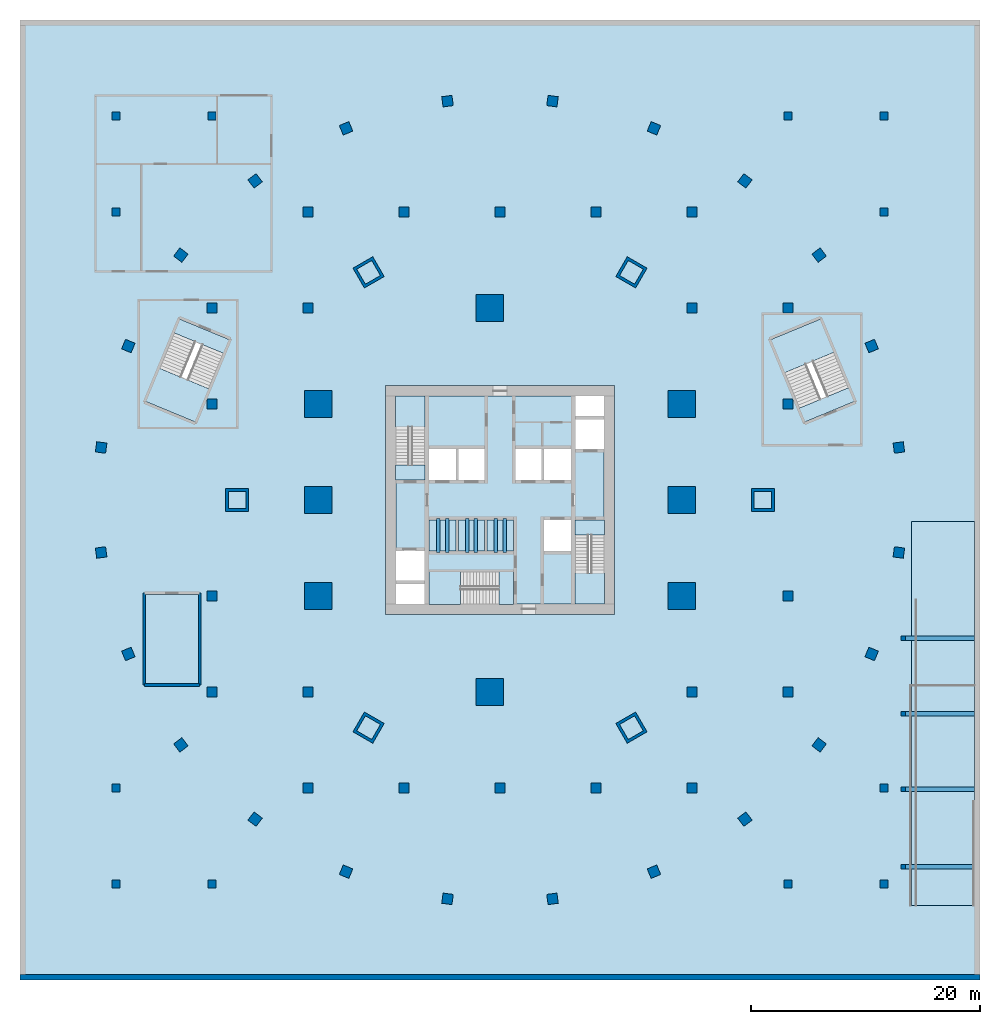
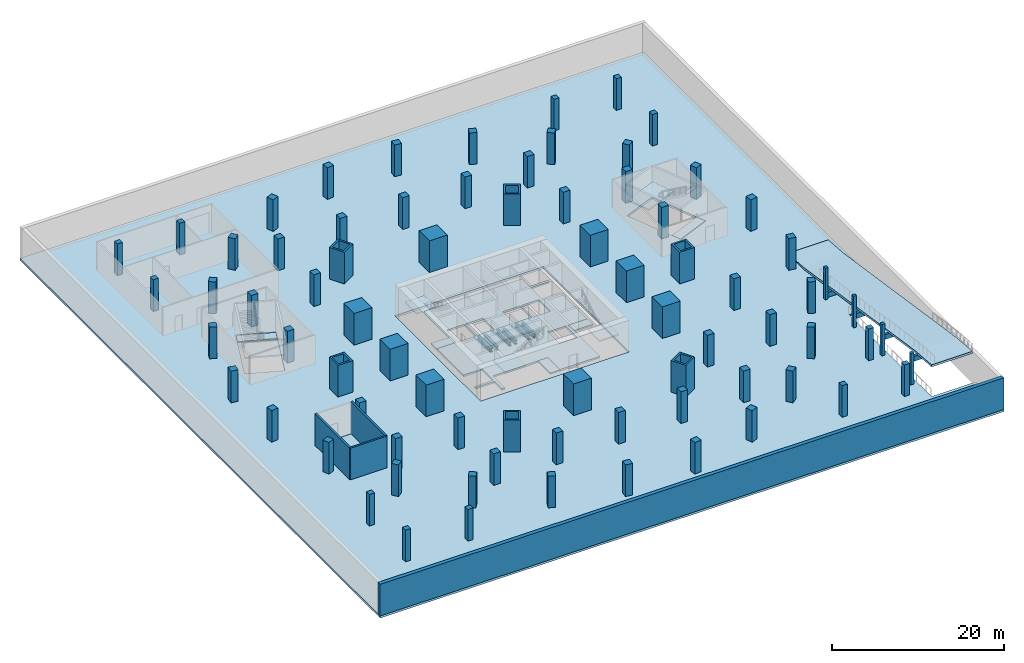
# One storey, part 1 of 9: 76 columns, 17 slabs, 10 beams, 4 walls, 5 elements without a shape of their own.
"""IFC4 building model written with IfcOpenShell, lengths in metres."""

from ifc_helpers import new_model, si_unit, direction, frame, frame_2d, origin, origin_2d, place, context, subcontext, project, spatial, polyline, rectangle, hollow_rectangle, i_section, outline, extrude, material, layer, layer_set, material_profile, profile_set, type_object, element, aggregate, save


model = new_model("IFC4")

# Units and contexts
model_context = context("Model", 3, precision=1e-05, world=origin(), true_north=direction((0.0, 1.0)))
body_context = subcontext(model_context, "Body", "Model", "MODEL_VIEW")
ifc_project = project(units=[si_unit("LENGTHUNIT", "METRE"), si_unit("AREAUNIT", "SQUARE_METRE"), si_unit("VOLUMEUNIT", "CUBIC_METRE"), si_unit("PLANEANGLEUNIT", "RADIAN"), si_unit("MASSUNIT", "GRAM", prefix="KILO")], contexts=[model_context])

# Site, building, storey
site_placement = place(None, origin())
site = spatial("IfcSite", under=ifc_project, at=site_placement, CompositionType="ELEMENT")
building_placement = place(site_placement, origin())
building = spatial("IfcBuilding", under=site, at=building_placement, Name="Golbaran Civic Tower", CompositionType="ELEMENT")
storey_placement = place(building_placement, frame((0.0, 0.0, -4.5)))
storey = spatial("IfcBuildingStorey", under=building, at=storey_placement, Name="B1", CompositionType="ELEMENT", Elevation=-4.5)

# Columns
ifc_material_1 = material(Name="Concrete C50/60", Category="concrete")
ifc_material_profile_1 = material_profile(ifc_material_1, rectangle(XDim=0.699951171875, YDim=0.699951171875, at=origin_2d()), Name="RC 700x700")
ifc_profile_set_1 = profile_set([ifc_material_profile_1], Name="Concrete C50/60")
column_type_1 = type_object("IfcColumnType", Name="BASEMENT COLUMN RC 700x700", PredefinedType="COLUMN", material=ifc_profile_set_1)
for number, where, z_axis, x_axis, name in (
    (1, (-33.60009765625, -33.60009765625, 0.0), (0.0, 0.0, 1.0), (1.0, 0.0, 0.0), "Column 2/B B1"),
    (2, (-33.60009765625, -25.199951171875, 0.0), (0.0, 0.0, 1.0), (1.0, 0.0, 0.0), "Column 2/C B1"),
    (3, (-33.60009765625, 25.199951171875, 0.0), (0.0, 0.0, 1.0), (1.0, 0.0, 0.0), "Column 2/J B1"),
    (4, (-33.60009765625, 33.60009765625, 0.0), (0.0, 0.0, 1.0), (1.0, 0.0, 0.0), "Column 2/K B1"),
    (5, (-25.199951171875, -33.60009765625, 0.0), (0.0, 0.0, 1.0), (1.0, 0.0, 0.0), "Column 3/B B1"),
    (6, (-25.199951171875, 33.60009765625, 0.0), (0.0, 0.0, 1.0), (1.0, 0.0, 0.0), "Column 3/K B1"),
    (7, (25.199951171875, -33.60009765625, 0.0), (0.0, 0.0, 1.0), (1.0, 0.0, 0.0), "Column 9/B B1"),
    (8, (25.199951171875, 33.60009765625, 0.0), (0.0, 0.0, 1.0), (1.0, 0.0, 0.0), "Column 9/K B1"),
    (9, (33.60009765625, -33.60009765625, 0.0), (0.0, 0.0, 1.0), (1.0, 0.0, 0.0), "Column 10/B B1"),
    (10, (33.60009765625, -25.199951171875, 0.0), (0.0, 0.0, 1.0), (1.0, 0.0, 0.0), "Column 10/C B1"),
    (11, (33.60009765625, 25.199951171875, 0.0), (0.0, 0.0, 1.0), (1.0, 0.0, 0.0), "Column 10/J B1"),
    (12, (33.60009765625, 33.60009765625, 0.0), (0.0, 0.0, 1.0), (1.0, 0.0, 0.0), "Column 10/K B1"),
):
    element("IfcColumn", number, at=place(storey_placement, frame(where, z_axis=z_axis, x_axis=x_axis)), inside=storey, type_object=column_type_1, Name=name, PredefinedType="COLUMN", context=body_context, shape_type="SweptSolid", body=[
        extrude(rectangle(XDim=0.699951171875, YDim=0.699951171875, at=origin_2d()), origin(), (0.0, 0.0, 1.0), 4.5),
    ])
ifc_material_2 = material(Name="Steel S355", Category="steel")
ifc_material_profile_2 = material_profile(ifc_material_2, hollow_rectangle(XDim=2.0, YDim=2.0, WallThickness=0.239990234375, at=origin_2d()), Name="BOX 2000x2000x240")
ifc_profile_set_2 = profile_set([ifc_material_profile_2], Name="Steel S355")
column_type_2 = type_object("IfcColumnType", Name="MEGA COLUMN BOX 2000x2000x240", PredefinedType="COLUMN", material=ifc_profile_set_2)
for number, where, z_axis, x_axis, name in (
    (13, (23.0, 0.0, 0.0), (0.0, 0.0, 1.0), (1.0, 0.0, 0.0), "Column mega 0 B1"),
    (14, (11.5, 19.918701171875, 0.0), (0.0, 0.0, 1.0), (0.5, 0.866025403784, 0.0), "Column mega 60 B1"),
    (15, (-11.5, 19.918701171875, 0.0), (0.0, 0.0, 1.0), (-0.5, 0.866025403784, 0.0), "Column mega 120 B1"),
    (16, (-23.0, 0.0, 0.0), (0.0, 0.0, 1.0), (-1.0, 0.0, 0.0), "Column mega 180 B1"),
    (17, (-11.5, -19.918701171875, 0.0), (0.0, 0.0, 1.0), (-0.5, -0.866025403784, 0.0), "Column mega 240 B1"),
    (18, (11.5, -19.918701171875, 0.0), (0.0, 0.0, 1.0), (0.5, -0.866025403784, 0.0), "Column mega 300 B1"),
):
    element("IfcColumn", number, at=place(storey_placement, frame(where, z_axis=z_axis, x_axis=x_axis)), inside=storey, type_object=column_type_2, Name=name, PredefinedType="COLUMN", context=body_context, shape_type="SweptSolid", body=[
        extrude(hollow_rectangle(XDim=2.0, YDim=2.0, WallThickness=0.239990234375, at=origin_2d()), origin(), (0.0, 0.0, 1.0), 4.5),
    ])
ifc_material_profile_3 = material_profile(ifc_material_1, rectangle(XDim=0.89990234375, YDim=0.89990234375, at=origin_2d()), Name="RC 900x900")
ifc_profile_set_3 = profile_set([ifc_material_profile_3], Name="Concrete C50/60")
column_type_3 = type_object("IfcColumnType", Name="PODIUM COLUMN RC 900x900", PredefinedType="COLUMN", material=ifc_profile_set_3)
for number, where, z_axis, x_axis, name in (
    (19, (-25.199951171875, -16.800048828125, 0.0), (0.0, 0.0, 1.0), (1.0, 0.0, 0.0), "Column 3/D B1"),
    (20, (-25.199951171875, -8.39990234375, 0.0), (0.0, 0.0, 1.0), (1.0, 0.0, 0.0), "Column 3/E B1"),
    (21, (-25.199951171875, 8.39990234375, 0.0), (0.0, 0.0, 1.0), (1.0, 0.0, 0.0), "Column 3/G B1"),
    (22, (-25.199951171875, 16.800048828125, 0.0), (0.0, 0.0, 1.0), (1.0, 0.0, 0.0), "Column 3/H B1"),
    (23, (-16.800048828125, -25.199951171875, 0.0), (0.0, 0.0, 1.0), (1.0, 0.0, 0.0), "Column 4/C B1"),
    (24, (-16.800048828125, -16.800048828125, 0.0), (0.0, 0.0, 1.0), (1.0, 0.0, 0.0), "Column 4/D B1"),
    (25, (-16.800048828125, 16.800048828125, 0.0), (0.0, 0.0, 1.0), (1.0, 0.0, 0.0), "Column 4/H B1"),
    (26, (-16.800048828125, 25.199951171875, 0.0), (0.0, 0.0, 1.0), (1.0, 0.0, 0.0), "Column 4/J B1"),
    (27, (-8.39990234375, -25.199951171875, 0.0), (0.0, 0.0, 1.0), (1.0, 0.0, 0.0), "Column 5/C B1"),
    (28, (-8.39990234375, 25.199951171875, 0.0), (0.0, 0.0, 1.0), (1.0, 0.0, 0.0), "Column 5/J B1"),
    (29, (0.0, -25.199951171875, 0.0), (0.0, 0.0, 1.0), (1.0, 0.0, 0.0), "Column 6/C B1"),
    (30, (0.0, 25.199951171875, 0.0), (0.0, 0.0, 1.0), (1.0, 0.0, 0.0), "Column 6/J B1"),
    (31, (8.39990234375, -25.199951171875, 0.0), (0.0, 0.0, 1.0), (1.0, 0.0, 0.0), "Column 7/C B1"),
    (32, (8.39990234375, 25.199951171875, 0.0), (0.0, 0.0, 1.0), (1.0, 0.0, 0.0), "Column 7/J B1"),
    (33, (16.800048828125, -25.199951171875, 0.0), (0.0, 0.0, 1.0), (1.0, 0.0, 0.0), "Column 8/C B1"),
    (34, (16.800048828125, -16.800048828125, 0.0), (0.0, 0.0, 1.0), (1.0, 0.0, 0.0), "Column 8/D B1"),
    (35, (16.800048828125, 16.800048828125, 0.0), (0.0, 0.0, 1.0), (1.0, 0.0, 0.0), "Column 8/H B1"),
    (36, (16.800048828125, 25.199951171875, 0.0), (0.0, 0.0, 1.0), (1.0, 0.0, 0.0), "Column 8/J B1"),
    (37, (25.199951171875, -16.800048828125, 0.0), (0.0, 0.0, 1.0), (1.0, 0.0, 0.0), "Column 9/D B1"),
    (38, (25.199951171875, -8.39990234375, 0.0), (0.0, 0.0, 1.0), (1.0, 0.0, 0.0), "Column 9/E B1"),
    (39, (25.199951171875, 8.39990234375, 0.0), (0.0, 0.0, 1.0), (1.0, 0.0, 0.0), "Column 9/G B1"),
    (40, (25.199951171875, 16.800048828125, 0.0), (0.0, 0.0, 1.0), (1.0, 0.0, 0.0), "Column 9/H B1"),
):
    element("IfcColumn", number, at=place(storey_placement, frame(where, z_axis=z_axis, x_axis=x_axis)), inside=storey, type_object=column_type_3, Name=name, PredefinedType="COLUMN", context=body_context, shape_type="SweptSolid", body=[
        extrude(rectangle(XDim=0.89990234375, YDim=0.89990234375, at=origin_2d()), origin(), (0.0, 0.0, 1.0), 4.5),
    ])
ifc_material_profile_4 = material_profile(ifc_material_1, rectangle(XDim=2.39990234375, YDim=2.39990234375, at=origin_2d()), Name="RC 2400x2400")
ifc_profile_set_4 = profile_set([ifc_material_profile_4], Name="Concrete C50/60")
column_type_4 = type_object("IfcColumnType", Name="PODIUM COLUMN UNDER TOWER RC 2400x2400", PredefinedType="COLUMN", material=ifc_profile_set_4)
for number, where, z_axis, x_axis, name in (
    (41, (-15.89990234375, -8.39990234375, 0.0), (0.0, 0.0, 1.0), (1.0, 0.0, 0.0), "Column 4/E B1"),
    (42, (-15.89990234375, 0.0, 0.0), (0.0, 0.0, 1.0), (1.0, 0.0, 0.0), "Column 4/F B1"),
    (43, (-15.89990234375, 8.39990234375, 0.0), (0.0, 0.0, 1.0), (1.0, 0.0, 0.0), "Column 4/G B1"),
    (44, (-0.89990234375, -16.800048828125, 0.0), (0.0, 0.0, 1.0), (1.0, 0.0, 0.0), "Column 6/D B1"),
    (45, (-0.89990234375, 16.800048828125, 0.0), (0.0, 0.0, 1.0), (1.0, 0.0, 0.0), "Column 6/H B1"),
    (46, (15.89990234375, -8.39990234375, 0.0), (0.0, 0.0, 1.0), (1.0, 0.0, 0.0), "Column 8/E B1"),
    (47, (15.89990234375, 0.0, 0.0), (0.0, 0.0, 1.0), (1.0, 0.0, 0.0), "Column 8/F B1"),
    (48, (15.89990234375, 8.39990234375, 0.0), (0.0, 0.0, 1.0), (1.0, 0.0, 0.0), "Column 8/G B1"),
):
    element("IfcColumn", number, at=place(storey_placement, frame(where, z_axis=z_axis, x_axis=x_axis)), inside=storey, type_object=column_type_4, Name=name, PredefinedType="COLUMN", context=body_context, shape_type="SweptSolid", body=[
        extrude(rectangle(XDim=2.39990234375, YDim=2.39990234375, at=origin_2d()), origin(), (0.0, 0.0, 1.0), 4.5),
    ])
ifc_material_profile_5 = material_profile(ifc_material_1, rectangle(XDim=0.89990234375, YDim=0.89990234375, at=origin_2d()), Name="RC 900x900")
ifc_profile_set_5 = profile_set([ifc_material_profile_5], Name="Concrete C50/60")
column_type_5 = type_object("IfcColumnType", Name="PODIUM EDGE COLUMN RC 900x900", PredefinedType="COLUMN", material=ifc_profile_set_5)
for number, where, z_axis, x_axis, name in (
    (49, (34.89892578125, 4.594482421875, 0.0), (0.0, 0.0, 1.0), (0.991444861374, 0.13052619222, 0.0), "Column edge 7.5 B1"),
    (50, (32.5205078125, 13.470458984375, 0.0), (0.0, 0.0, 1.0), (0.923879532511, 0.382683432365, 0.0), "Column edge 22.5 B1"),
    (51, (27.926025390625, 21.428466796875, 0.0), (0.0, 0.0, 1.0), (0.793353340291, 0.608761429009, 0.0), "Column edge 37.5 B1"),
    (52, (21.428466796875, 27.926025390625, 0.0), (0.0, 0.0, 1.0), (0.608761429009, 0.793353340291, 0.0), "Column edge 52.5 B1"),
    (53, (13.470458984375, 32.5205078125, 0.0), (0.0, 0.0, 1.0), (0.382683432365, 0.923879532511, 0.0), "Column edge 67.5 B1"),
    (54, (4.594482421875, 34.89892578125, 0.0), (0.0, 0.0, 1.0), (0.13052619222, 0.991444861374, 0.0), "Column edge 82.5 B1"),
    (55, (-4.594482421875, 34.89892578125, 0.0), (0.0, 0.0, 1.0), (-0.13052619222, 0.991444861374, 0.0), "Column edge 97.5 B1"),
    (56, (-13.470458984375, 32.5205078125, 0.0), (0.0, 0.0, 1.0), (-0.382683432365, 0.923879532511, 0.0), "Column edge 112.5 B1"),
    (57, (-21.428466796875, 27.926025390625, 0.0), (0.0, 0.0, 1.0), (-0.608761429009, 0.793353340291, 0.0), "Column edge 127.5 B1"),
    (58, (-27.926025390625, 21.428466796875, 0.0), (0.0, 0.0, 1.0), (-0.793353340291, 0.608761429009, 0.0), "Column edge 142.5 B1"),
    (59, (-32.5205078125, 13.470458984375, 0.0), (0.0, 0.0, 1.0), (-0.923879532511, 0.382683432365, 0.0), "Column edge 157.5 B1"),
    (60, (-34.89892578125, 4.594482421875, 0.0), (0.0, 0.0, 1.0), (-0.991444861374, 0.13052619222, 0.0), "Column edge 172.5 B1"),
    (61, (-34.89892578125, -4.594482421875, 0.0), (0.0, 0.0, 1.0), (-0.991444861374, -0.13052619222, 0.0), "Column edge 187.5 B1"),
    (62, (-32.5205078125, -13.470458984375, 0.0), (0.0, 0.0, 1.0), (-0.923879532511, -0.382683432365, 0.0), "Column edge 202.5 B1"),
    (63, (-27.926025390625, -21.428466796875, 0.0), (0.0, 0.0, 1.0), (-0.793353340291, -0.608761429009, 0.0), "Column edge 217.5 B1"),
    (64, (-21.428466796875, -27.926025390625, 0.0), (0.0, 0.0, 1.0), (-0.608761429009, -0.793353340291, 0.0), "Column edge 232.5 B1"),
    (65, (-13.470458984375, -32.5205078125, 0.0), (0.0, 0.0, 1.0), (-0.382683432365, -0.923879532511, 0.0), "Column edge 247.5 B1"),
    (66, (-4.594482421875, -34.89892578125, 0.0), (0.0, 0.0, 1.0), (-0.13052619222, -0.991444861374, 0.0), "Column edge 262.5 B1"),
    (67, (4.594482421875, -34.89892578125, 0.0), (0.0, 0.0, 1.0), (0.13052619222, -0.991444861374, 0.0), "Column edge 277.5 B1"),
    (68, (13.470458984375, -32.5205078125, 0.0), (0.0, 0.0, 1.0), (0.382683432365, -0.923879532511, 0.0), "Column edge 292.5 B1"),
    (69, (21.428466796875, -27.926025390625, 0.0), (0.0, 0.0, 1.0), (0.608761429009, -0.793353340291, 0.0), "Column edge 307.5 B1"),
    (70, (27.926025390625, -21.428466796875, 0.0), (0.0, 0.0, 1.0), (0.793353340291, -0.608761429009, 0.0), "Column edge 322.5 B1"),
    (71, (32.5205078125, -13.470458984375, 0.0), (0.0, 0.0, 1.0), (0.923879532511, -0.382683432365, 0.0), "Column edge 337.5 B1"),
    (72, (34.89892578125, -4.594482421875, 0.0), (0.0, 0.0, 1.0), (0.991444861374, -0.13052619222, 0.0), "Column edge 352.5 B1"),
):
    element("IfcColumn", number, at=place(storey_placement, frame(where, z_axis=z_axis, x_axis=x_axis)), inside=storey, type_object=column_type_5, Name=name, PredefinedType="COLUMN", context=body_context, shape_type="SweptSolid", body=[
        extrude(rectangle(XDim=0.89990234375, YDim=0.89990234375, at=origin_2d()), origin(), (0.0, 0.0, 1.0), 4.5),
    ])
ifc_material_profile_6 = material_profile(ifc_material_1, rectangle(XDim=0.39990234375, YDim=0.39990234375, at=origin_2d()), Name="RC 400x400")
ifc_profile_set_6 = profile_set([ifc_material_profile_6], Name="Concrete C50/60")
column_type_6 = type_object("IfcColumnType", Name="RAMP COLUMN RC 400x400", PredefinedType="COLUMN", material=ifc_profile_set_6)
for number, where, z_axis, x_axis, name in (
    (73, (35.280029296875, -32.10009765625, 0.0), (0.0, 0.0, 1.0), (1.0, 0.0, 0.0), "Ramp column 1 B1"),
    (74, (35.280029296875, -25.300048828125, 0.0), (0.0, 0.0, 1.0), (1.0, 0.0, 0.0), "Ramp column 2 B1"),
    (75, (35.280029296875, -18.699951171875, 0.0), (0.0, 0.0, 1.0), (1.0, 0.0, 0.0), "Ramp column 3 B1"),
    (76, (35.280029296875, -12.10009765625, 0.0), (0.0, 0.0, 1.0), (1.0, 0.0, 0.0), "Ramp column 4 B1"),
):
    element("IfcColumn", number, at=place(storey_placement, frame(where, z_axis=z_axis, x_axis=x_axis)), inside=storey, type_object=column_type_6, Name=name, PredefinedType="COLUMN", context=body_context, shape_type="SweptSolid", body=[
        extrude(rectangle(XDim=0.39990234375, YDim=0.39990234375, at=origin_2d()), origin(), (0.0, 0.0, 1.0), 4.5),
    ])

# Beams
ifc_material_profile_7 = material_profile(ifc_material_2, i_section(OverallWidth=0.305908203125, OverallDepth=0.52392578125, WebThickness=0.02099609375, FlangeThickness=0.0400390625, FilletRadius=0.027099609375, at=origin_2d()), Name="HEM 500")
ifc_profile_set_7 = profile_set([ifc_material_profile_7], Name="Steel S355")
beam_type_1 = type_object("IfcBeamType", Name="LIFT PIT BEAM HEM 500", PredefinedType="BEAM", material=ifc_profile_set_7)
for number, where, z_axis, x_axis, name in (
    (77, (-5.416748046875, -4.60009765625, 2.337890625), (0.0, 1.0, 0.0), (-1.0, 0.0, 0.0), "Lift pit beam H1 1"),
    (78, (-4.63330078125, -4.60009765625, 2.337890625), (0.0, 1.0, 0.0), (-1.0, 0.0, 0.0), "Lift pit beam H1 2"),
    (79, (-2.88330078125, -4.60009765625, 2.337890625), (0.0, 1.0, 0.0), (-1.0, 0.0, 0.0), "Lift pit beam H2 1"),
    (80, (-2.11669921875, -4.60009765625, 2.337890625), (0.0, 1.0, 0.0), (-1.0, 0.0, 0.0), "Lift pit beam H2 2"),
    (81, (-0.36669921875, -4.60009765625, 2.337890625), (0.0, 1.0, 0.0), (-1.0, 0.0, 0.0), "Lift pit beam H3 1"),
    (82, (0.416748046875, -4.60009765625, 2.337890625), (0.0, 1.0, 0.0), (-1.0, 0.0, 0.0), "Lift pit beam H3 2"),
):
    element("IfcBeam", number, at=place(storey_placement, frame(where, z_axis=z_axis, x_axis=x_axis)), inside=storey, type_object=beam_type_1, Name=name, PredefinedType="BEAM", context=body_context, shape_type="SweptSolid", body=[
        extrude(i_section(OverallWidth=0.305908203125, OverallDepth=0.52392578125, WebThickness=0.02099609375, FlangeThickness=0.0400390625, FilletRadius=0.027099609375, at=origin_2d()), origin(), (0.0, 0.0, 1.0), 3.0),
    ])
ifc_material_profile_8 = material_profile(ifc_material_1, rectangle(XDim=0.39990234375, YDim=0.699951171875, at=origin_2d()), Name="RC 400x700")
ifc_profile_set_8 = profile_set([ifc_material_profile_8], Name="Concrete C50/60")
beam_type_2 = type_object("IfcBeamType", Name="RAMP BEAM RC 400x700", PredefinedType="BEAM", material=ifc_profile_set_8)
for number, where, z_axis, x_axis, name in (
    (83, (35.280029296875, -32.10009765625, 3.580078125), (1.0, 0.0, 0.0), (0.0, 1.0, 0.0), "Ramp beam 1 B1"),
    (84, (35.280029296875, -25.300048828125, 2.56005859375), (1.0, 0.0, 0.0), (0.0, 1.0, 0.0), "Ramp beam 2 B1"),
    (85, (35.280029296875, -18.699951171875, 1.570068359375), (1.0, 0.0, 0.0), (0.0, 1.0, 0.0), "Ramp beam 3 B1"),
    (86, (35.280029296875, -12.10009765625, 0.580078125), (1.0, 0.0, 0.0), (0.0, 1.0, 0.0), "Ramp beam 4 B1"),
):
    element("IfcBeam", number, at=place(storey_placement, frame(where, z_axis=z_axis, x_axis=x_axis)), inside=storey, type_object=beam_type_2, Name=name, PredefinedType="BEAM", context=body_context, shape_type="SweptSolid", body=[
        extrude(rectangle(XDim=0.39990234375, YDim=0.699951171875, at=origin_2d()), origin(), (0.0, 0.0, 1.0), 6.219970703125),
    ])

# Slabs
ifc_material_3 = material(Name="Concrete C35/45", Category="concrete")
ifc_layer_1 = layer(ifc_material_3, 0.300048828125, Name="Concrete C35/45")
ifc_layer_set_1 = layer_set([ifc_layer_1], Name="Concrete C35/45")
slab_type_1 = type_object("IfcSlabType", Name="BASEMENT FLOOR SLAB 300", PredefinedType="FLOOR", material=ifc_layer_set_1)
slab_1_placement = place(storey_placement, frame((0.0, 0.0, -0.300048828125)))
element("IfcSlab", 87, at=slab_1_placement, inside=storey, type_object=slab_type_1, Name="Basement floor slab B1", PredefinedType="FLOOR", context=body_context, shape_type="SweptSolid", body=[
    extrude(outline(polyline([(42.0, -16.300048828125), (36.0, -16.300048828125), (36.0, -35.5), (42.0, -35.5), (42.0, -42.0), (-42.0, -42.0), (-42.0, 42.0), (42.0, 42.0), (42.0, -16.300048828125)]), holes=[polyline([(31.042724609375, 8.572021484375), (28.01171875, 15.88916015625), (23.651123046875, 14.082763671875), (26.681884765625, 6.765625), (31.042724609375, 8.572021484375)]), polyline([(10.0, -10.0), (10.0, 10.0), (-10.0, 10.0), (-10.0, -10.0), (10.0, -10.0)]), polyline([(-28.01171875, 15.88916015625), (-31.042724609375, 8.572021484375), (-26.681884765625, 6.765625), (-23.651123046875, 14.082763671875), (-28.01171875, 15.88916015625)]), polyline([(-31.06005859375, -16.110107421875), (-26.340087890625, -16.110107421875), (-26.340087890625, -8.18994140625), (-31.06005859375, -8.18994140625), (-31.06005859375, -16.110107421875)])]), origin(), (0.0, 0.0, 1.0), 0.300048828125),
])
slab_2_placement = place(storey_placement, frame((0.0, 0.0, -0.300048828125)))
element("IfcSlab", 88, at=slab_2_placement, inside=storey, type_object=slab_type_1, Name="P3 enclosure floor slab B1", PredefinedType="FLOOR", context=body_context, shape_type="SweptSolid", body=[
    extrude(outline(polyline([(-26.39990234375, -16.050048828125), (-31.0, -16.050048828125), (-31.0, -8.25), (-26.39990234375, -8.25), (-26.39990234375, -16.050048828125)])), origin(), (0.0, 0.0, 1.0), 0.300048828125),
])
ifc_layer_2 = layer(ifc_material_3, 0.25, Name="Concrete C35/45")
ifc_layer_set_2 = layer_set([ifc_layer_2], Name="Concrete C35/45")
slab_type_2 = type_object("IfcSlabType", Name="CORE FLOOR SLAB 250", PredefinedType="FLOOR", material=ifc_layer_set_2)
slab_3_placement = place(storey_placement, frame((0.0, 0.0, -0.25)))
element("IfcSlab", 89, at=slab_3_placement, inside=storey, type_object=slab_type_2, Name="Core floor slab B1", PredefinedType="FLOOR", context=body_context, shape_type="SweptSolid", body=[
    extrude(outline(polyline([(6.60009765625, -1.75), (6.60009765625, -9.10009765625), (1.199951171875, -9.10009765625), (1.199951171875, -6.300048828125), (-6.199951171875, -6.300048828125), (-6.199951171875, -9.10009765625), (-6.60009765625, -9.10009765625), (-6.60009765625, -7.35009765625), (-9.10009765625, -7.35009765625), (-9.10009765625, -7.050048828125), (-6.60009765625, -7.050048828125), (-6.60009765625, -4.449951171875), (-9.10009765625, -4.449951171875), (-9.10009765625, 1.75), (-6.60009765625, 1.75), (-6.60009765625, 9.10009765625), (6.60009765625, 9.10009765625), (6.60009765625, 7.35009765625), (9.10009765625, 7.35009765625), (9.10009765625, 7.050048828125), (6.60009765625, 7.050048828125), (6.60009765625, 4.449951171875), (9.10009765625, 4.449951171875), (9.10009765625, -1.75), (6.60009765625, -1.75)]), holes=[polyline([(6.199951171875, -1.75), (3.85009765625, -1.75), (3.85009765625, -4.449951171875), (6.199951171875, -4.449951171875), (6.199951171875, -1.75)]), polyline([(3.85009765625, 4.449951171875), (3.85009765625, 1.75), (6.199951171875, 1.75), (6.199951171875, 4.449951171875), (3.85009765625, 4.449951171875)]), polyline([(3.64990234375, 4.449951171875), (1.35009765625, 4.449951171875), (1.35009765625, 1.75), (3.64990234375, 1.75), (3.64990234375, 4.449951171875)]), polyline([(-1.35009765625, 4.449951171875), (-3.64990234375, 4.449951171875), (-3.64990234375, 1.75), (-1.35009765625, 1.75), (-1.35009765625, 4.449951171875)]), polyline([(-6.199951171875, 4.449951171875), (-6.199951171875, 1.75), (-3.85009765625, 1.75), (-3.85009765625, 4.449951171875), (-6.199951171875, 4.449951171875)])]), origin(), (0.0, 0.0, 1.0), 0.25),
])
ifc_layer_3 = layer(ifc_material_3, 0.300048828125, Name="Concrete C35/45")
ifc_layer_set_3 = layer_set([ifc_layer_3], Name="Concrete C35/45")
slab_type_3 = type_object("IfcSlabType", Name="LIFT PIT SLAB 300", PredefinedType="FLOOR", material=ifc_layer_set_3)
slab_4_placement = place(storey_placement, frame((0.0, 0.0, 2.60009765625)))
element("IfcSlab", 90, at=slab_4_placement, inside=storey, type_object=slab_type_3, Name="Lift pit slab H1", PredefinedType="FLOOR", context=body_context, shape_type="SweptSolid", body=[
    extrude(outline(polyline([(-6.199951171875, -4.449951171875), (-3.85009765625, -4.449951171875), (-3.85009765625, -1.75), (-6.199951171875, -1.75), (-6.199951171875, -4.449951171875)])), origin(), (0.0, 0.0, 1.0), 0.2998046875),
])
slab_5_placement = place(storey_placement, frame((0.0, 0.0, 2.60009765625)))
element("IfcSlab", 91, at=slab_5_placement, inside=storey, type_object=slab_type_3, Name="Lift pit slab H2", PredefinedType="FLOOR", context=body_context, shape_type="SweptSolid", body=[
    extrude(outline(polyline([(-3.64990234375, -4.449951171875), (-1.35009765625, -4.449951171875), (-1.35009765625, -1.75), (-3.64990234375, -1.75), (-3.64990234375, -4.449951171875)])), origin(), (0.0, 0.0, 1.0), 0.2998046875),
])
slab_6_placement = place(storey_placement, frame((0.0, 0.0, 2.60009765625)))
element("IfcSlab", 92, at=slab_6_placement, inside=storey, type_object=slab_type_3, Name="Lift pit slab H3", PredefinedType="FLOOR", context=body_context, shape_type="SweptSolid", body=[
    extrude(outline(polyline([(-1.14990234375, -4.449951171875), (1.199951171875, -4.449951171875), (1.199951171875, -1.75), (-1.14990234375, -1.75), (-1.14990234375, -4.449951171875)])), origin(), (0.0, 0.0, 1.0), 0.2998046875),
])

# Stair, slab
stair_type_1 = type_object("IfcStairType", Name="EXIT STAIR 2500 x 7350, 4500 RISE", PredefinedType="HALF_TURN_STAIR", material=ifc_material_3)
stair_1_placement = place(storey_placement, origin())
stair_1 = element("IfcStair", 93, at=stair_1_placement, inside=storey, type_object=stair_type_1, Name="Stair S1 B1", PredefinedType="HALF_TURN_STAIR")
ifc_layer_4 = layer(ifc_material_3, 0.199951171875, Name="Concrete C35/45")
ifc_layer_set_4 = layer_set([ifc_layer_4], Name="Concrete C35/45")
slab_type_4 = type_object("IfcSlabType", Name="STAIR LANDING 200", PredefinedType="LANDING", material=ifc_layer_set_4)
slab_7_placement = place(storey_placement, frame((0.0, 0.0, 2.050048828125)))
slab_7 = element("IfcSlab", 94, at=slab_7_placement, type_object=slab_type_4, Name="ST25074-45 landing 1", PredefinedType="LANDING", context=body_context, shape_type="SweptSolid", body=[
    extrude(outline(polyline([(-9.14990234375, 6.405029296875), (-9.14990234375, 9.10009765625), (-6.550048828125, 9.10009765625), (-6.550048828125, 6.405029296875), (-9.14990234375, 6.405029296875)])), origin(), (0.0, 0.0, 1.0), 0.199951171875),
])
aggregate(stair_1, [slab_7])

# Slab
slab_8_placement = place(storey_placement, frame((0.0, 0.0, -0.199951171875)))
element("IfcSlab", 95, at=slab_8_placement, inside=storey, type_object=slab_type_4, Name="Stair S1 floor landing B1", PredefinedType="LANDING", context=body_context, shape_type="SweptSolid", body=[
    extrude(outline(polyline([(-9.14990234375, 1.75), (-9.14990234375, 3.054931640625), (-6.550048828125, 3.054931640625), (-6.550048828125, 1.75), (-9.14990234375, 1.75)])), origin(), (0.0, 0.0, 1.0), 0.199951171875),
])

# Stair, slab
stair_2_placement = place(storey_placement, origin())
stair_2 = element("IfcStair", 96, at=stair_2_placement, inside=storey, type_object=stair_type_1, Name="Stair S2 B1", PredefinedType="HALF_TURN_STAIR")
slab_9_placement = place(storey_placement, frame((0.0, 0.0, 2.050048828125)))
slab_9 = element("IfcSlab", 97, at=slab_9_placement, type_object=slab_type_4, Name="ST25074-45 landing 1", PredefinedType="LANDING", context=body_context, shape_type="SweptSolid", body=[
    extrude(outline(polyline([(9.14990234375, -6.405029296875), (9.14990234375, -9.10009765625), (6.550048828125, -9.10009765625), (6.550048828125, -6.405029296875), (9.14990234375, -6.405029296875)])), origin(), (0.0, 0.0, 1.0), 0.199951171875),
])
aggregate(stair_2, [slab_9])

# Slab
slab_10_placement = place(storey_placement, frame((0.0, 0.0, -0.199951171875)))
element("IfcSlab", 98, at=slab_10_placement, inside=storey, type_object=slab_type_4, Name="Stair S2 floor landing B1", PredefinedType="LANDING", context=body_context, shape_type="SweptSolid", body=[
    extrude(outline(polyline([(9.14990234375, -1.75), (9.14990234375, -3.054931640625), (6.550048828125, -3.054931640625), (6.550048828125, -1.75), (9.14990234375, -1.75)])), origin(), (0.0, 0.0, 1.0), 0.199951171875),
])

# Stair, slab
stair_type_2 = type_object("IfcStairType", Name="EXIT STAIR 2800 x 7400, 4500 RISE", PredefinedType="HALF_TURN_STAIR", material=ifc_material_3)
stair_3_placement = place(storey_placement, origin())
stair_3 = element("IfcStair", 99, at=stair_3_placement, inside=storey, type_object=stair_type_2, Name="Stair S3 B1", PredefinedType="HALF_TURN_STAIR")
slab_11_placement = place(storey_placement, frame((0.0, 0.0, 2.050048828125)))
slab_11 = element("IfcSlab", 100, at=slab_11_placement, type_object=slab_type_4, Name="ST28074-45 landing 1", PredefinedType="LANDING", context=body_context, shape_type="SweptSolid", body=[
    extrude(outline(polyline([(-3.455078125, -9.14990234375), (-6.199951171875, -9.14990234375), (-6.199951171875, -6.25), (-3.455078125, -6.25), (-3.455078125, -9.14990234375)])), origin(), (0.0, 0.0, 1.0), 0.199951171875),
])
aggregate(stair_3, [slab_11])

# Slab
slab_12_placement = place(storey_placement, frame((0.0, 0.0, -0.199951171875)))
element("IfcSlab", 101, at=slab_12_placement, inside=storey, type_object=slab_type_4, Name="Stair S3 floor landing B1", PredefinedType="LANDING", context=body_context, shape_type="SweptSolid", body=[
    extrude(outline(polyline([(1.199951171875, -9.14990234375), (-0.10498046875, -9.14990234375), (-0.10498046875, -6.25), (1.199951171875, -6.25), (1.199951171875, -9.14990234375)])), origin(), (0.0, 0.0, 1.0), 0.199951171875),
])

# Stair, slab
stair_type_3 = type_object("IfcStairType", Name="EXIT STAIR 4600 x 7800, 4500 RISE", PredefinedType="HALF_TURN_STAIR", material=ifc_material_3)
stair_4_placement = place(storey_placement, origin())
stair_4 = element("IfcStair", 102, at=stair_4_placement, inside=storey, type_object=stair_type_3, Name="Stair P1 B1", PredefinedType="HALF_TURN_STAIR")
slab_13_placement = place(storey_placement, frame((0.0, 0.0, 2.050048828125)))
slab_13 = element("IfcSlab", 103, at=slab_13_placement, type_object=slab_type_4, Name="ST46078-45 landing 1", PredefinedType="LANDING", context=body_context, shape_type="SweptSolid", body=[
    extrude(outline(polyline([(24.88671875, 11.125732421875), (23.683349609375, 14.03125), (28.025390625, 15.829833984375), (29.22900390625, 12.92431640625), (24.88671875, 11.125732421875)])), origin(), (0.0, 0.0, 1.0), 0.199951171875),
])
aggregate(stair_4, [slab_13])

# Slab
slab_14_placement = place(storey_placement, frame((0.0, 0.0, -0.199951171875)))
element("IfcSlab", 104, at=slab_14_placement, inside=storey, type_object=slab_type_4, Name="Stair P1 floor landing B1", PredefinedType="LANDING", context=body_context, shape_type="SweptSolid", body=[
    extrude(outline(polyline([(26.668212890625, 6.824951171875), (26.168701171875, 8.03076171875), (30.510986328125, 9.829345703125), (31.010498046875, 8.62353515625), (26.668212890625, 6.824951171875)])), origin(), (0.0, 0.0, 1.0), 0.199951171875),
])

# Stair, slab
stair_5_placement = place(storey_placement, origin())
stair_5 = element("IfcStair", 105, at=stair_5_placement, inside=storey, type_object=stair_type_3, Name="Stair P2 B1", PredefinedType="HALF_TURN_STAIR")
slab_15_placement = place(storey_placement, frame((0.0, 0.0, 2.050048828125)))
slab_15 = element("IfcSlab", 106, at=slab_15_placement, type_object=slab_type_4, Name="ST46078-45 landing 1", PredefinedType="LANDING", context=body_context, shape_type="SweptSolid", body=[
    extrude(outline(polyline([(-25.464599609375, 9.730712890625), (-26.668212890625, 6.824951171875), (-31.010498046875, 8.62353515625), (-29.806884765625, 11.529296875), (-25.464599609375, 9.730712890625)])), origin(), (0.0, 0.0, 1.0), 0.199951171875),
])
aggregate(stair_5, [slab_15])

# Slabs
slab_16_placement = place(storey_placement, frame((0.0, 0.0, -0.199951171875)))
element("IfcSlab", 107, at=slab_16_placement, inside=storey, type_object=slab_type_4, Name="Stair P2 floor landing B1", PredefinedType="LANDING", context=body_context, shape_type="SweptSolid", body=[
    extrude(outline(polyline([(-23.683349609375, 14.03125), (-24.1826171875, 12.82568359375), (-28.52490234375, 14.624267578125), (-28.025390625, 15.829833984375), (-23.683349609375, 14.03125)])), origin(), (0.0, 0.0, 1.0), 0.199951171875),
])
ifc_layer_5 = layer(ifc_material_3, 0.300048828125, Name="Concrete C35/45")
ifc_layer_set_5 = layer_set([ifc_layer_5], Name="Concrete C35/45")
slab_type_5 = type_object("IfcSlabType", Name="VEHICLE RAMP SLAB 300", PredefinedType="FLOOR", material=ifc_layer_set_5)
slab_17_placement = place(storey_placement, frame((36.0, -35.5, 4.5), z_axis=(0.0, 0.0, 1.0), x_axis=(0.0, 1.0, 0.0)))
element("IfcSlab", 108, at=slab_17_placement, inside=storey, type_object=slab_type_5, Name="Vehicle ramp L00 to B1", PredefinedType="FLOOR", context=body_context, shape_type="SweptSolid", body=[
    extrude(outline(polyline([(0.0, 0.0), (3.60009765625, -0.27001953125), (30.0, -4.22998046875), (33.60009765625, -4.5), (33.60009765625, -4.800048828125), (30.0, -4.530029296875), (3.60009765625, -0.570068359375), (0.0, -0.300048828125), (0.0, 0.0)])), frame((0.0, 0.0, 0.0), z_axis=(0.0, -1.0, 0.0), x_axis=(1.0, 0.0, 0.0)), (0.0, 0.0, 1.0), 5.5),
])

# Walls
ifc_layer_6 = layer(ifc_material_1, 0.5, Name="Concrete C50/60")
ifc_layer_set_6 = layer_set([ifc_layer_6], Name="Concrete C50/60")
wall_type_1 = type_object("IfcWallType", Name="BASEMENT RETAINING WALL CONCRETE 500", PredefinedType="SOLIDWALL", material=ifc_layer_set_6)
wall_1_placement = place(storey_placement, frame((42.0, -41.75, 0.0), z_axis=(0.0, 0.0, 1.0), x_axis=(-1.0, 0.0, 0.0)))
element("IfcWall", 109, at=wall_1_placement, inside=storey, type_object=wall_type_1, Name="Basement retaining wall S B1", PredefinedType="SOLIDWALL", context=body_context, shape_type="SweptSolid", body=[
    extrude(rectangle(XDim=84.0, YDim=0.5, at=frame_2d((42.0, 0.0))), origin(), (0.0, 0.0, 1.0), 4.5),
])
ifc_layer_7 = layer(ifc_material_1, 0.25, Name="Concrete C50/60")
ifc_layer_set_7 = layer_set([ifc_layer_7], Name="Concrete C50/60")
wall_type_2 = type_object("IfcWallType", Name="STAIR ENCLOSURE WALL CONCRETE 250", PredefinedType="SOLIDWALL", material=ifc_layer_set_7)
wall_2_placement = place(storey_placement, frame((-26.27490234375, -8.125, 0.0), z_axis=(0.0, 0.0, 1.0), x_axis=(0.0, -1.0, 0.0)))
element("IfcWall", 110, at=wall_2_placement, inside=storey, type_object=wall_type_2, Name="P3 enclosure B B1", PredefinedType="SOLIDWALL", context=body_context, shape_type="SweptSolid", body=[
    extrude(rectangle(XDim=8.050048828125, YDim=0.25, at=frame_2d((4.02490234375, 0.0))), origin(), (0.0, 0.0, 1.0), 4.5),
])
wall_3_placement = place(storey_placement, frame((-26.27490234375, -16.175048828125, 0.0), z_axis=(0.0, 0.0, 1.0), x_axis=(-1.0, 0.0, 0.0)))
element("IfcWall", 111, at=wall_3_placement, inside=storey, type_object=wall_type_2, Name="P3 enclosure C B1", PredefinedType="SOLIDWALL", context=body_context, shape_type="SweptSolid", body=[
    extrude(rectangle(XDim=4.85009765625, YDim=0.25, at=frame_2d((2.425048828125, 0.0))), origin(), (0.0, 0.0, 1.0), 4.5),
])
wall_4_placement = place(storey_placement, frame((-31.125, -16.175048828125, 0.0), z_axis=(0.0, 0.0, 1.0), x_axis=(0.0, 1.0, 0.0)))
element("IfcWall", 112, at=wall_4_placement, inside=storey, type_object=wall_type_2, Name="P3 enclosure D B1", PredefinedType="SOLIDWALL", context=body_context, shape_type="SweptSolid", body=[
    extrude(rectangle(XDim=8.050048828125, YDim=0.25, at=frame_2d((4.02490234375, 0.0))), origin(), (0.0, 0.0, 1.0), 4.5),
])

save(model, "model.ifc")
